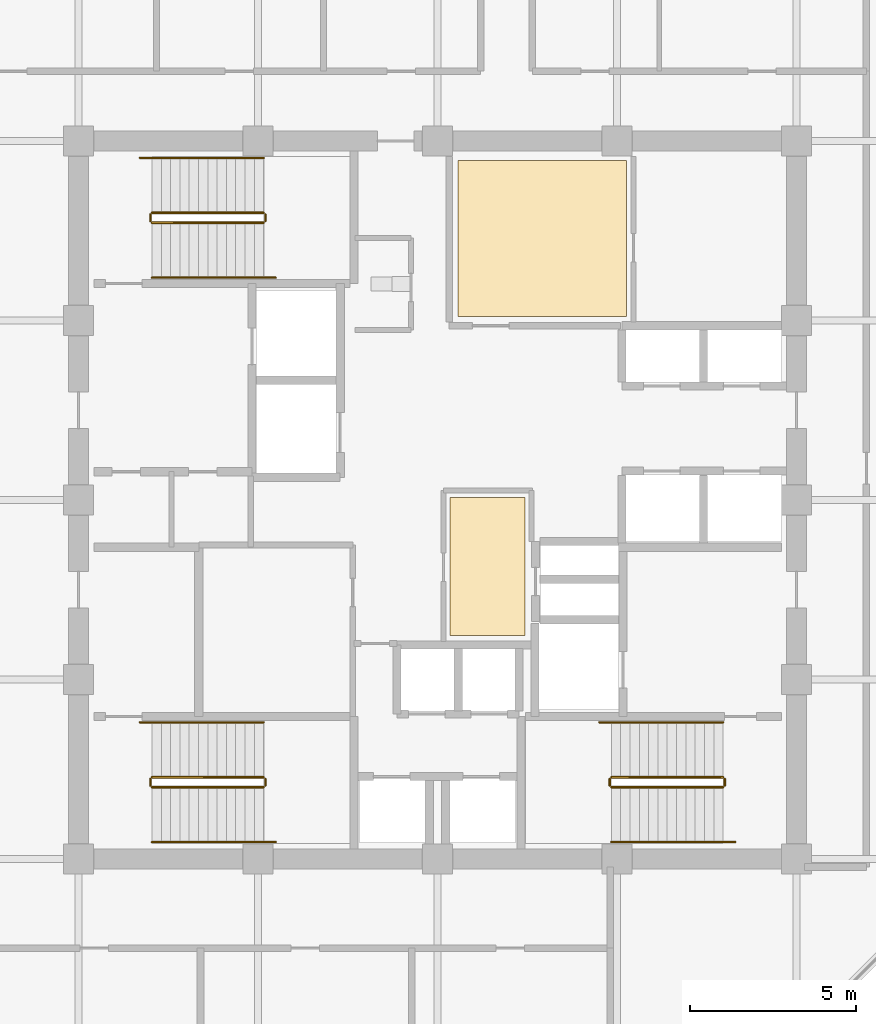
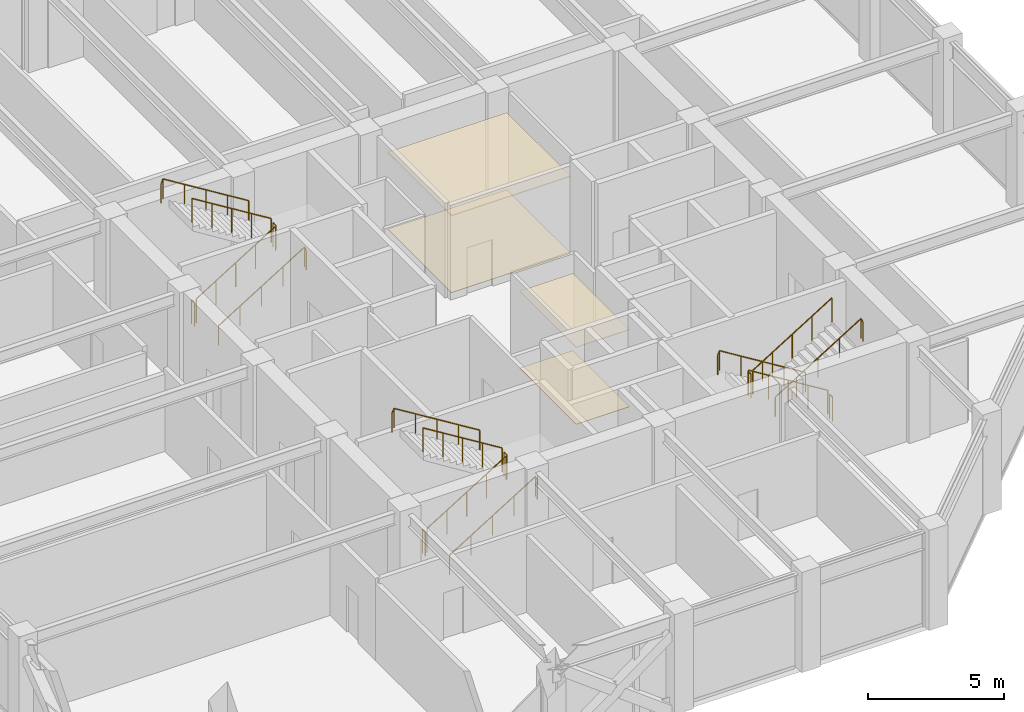
# One storey, part 27 of 28: 18 railings, 4 coverings.
"""IFC4 building model written with IfcOpenShell, lengths in metres."""

from ifc_helpers import new_model, si_unit, direction, frame, origin, origin_2d, place, context, subcontext, project, spatial, polyline, circle, outline, extrude, material, layer, layer_set, type_object, element, save


model = new_model("IFC4")

# Units and contexts
model_context = context("Model", 3, precision=1e-05, world=origin(), true_north=direction((0.0, 1.0)))
body_context = subcontext(model_context, "Body", "Model", "MODEL_VIEW")
ifc_project = project(units=[si_unit("LENGTHUNIT", "METRE"), si_unit("AREAUNIT", "SQUARE_METRE"), si_unit("VOLUMEUNIT", "CUBIC_METRE"), si_unit("PLANEANGLEUNIT", "RADIAN"), si_unit("MASSUNIT", "GRAM", prefix="KILO")], contexts=[model_context])

# Site, building, storey
site_placement = place(None, origin())
site = spatial("IfcSite", under=ifc_project, at=site_placement, CompositionType="ELEMENT")
building_placement = place(site_placement, origin())
building = spatial("IfcBuilding", under=site, at=building_placement, Name="Surkhivell Harbour Commons", CompositionType="ELEMENT")
storey_placement = place(building_placement, frame((0.0, 0.0, 249.75)))
storey = spatial("IfcBuildingStorey", under=building, at=storey_placement, Name="L65", CompositionType="ELEMENT", Elevation=249.75)

# Coverings
ifc_material_1 = material(Name="Perforated acoustic mineral-fibre ceiling tile", Category="other")
ifc_layer_1 = layer(ifc_material_1, 0.02490234375)
ifc_layer_set_1 = layer_set([ifc_layer_1], Name="Perforated acoustic mineral-fibre ceiling tile")
covering_type_1 = type_object("IfcCoveringType", Name="COV-CEIL-AC", PredefinedType="CEILING", material=ifc_layer_set_1)
covering_1_placement = place(storey_placement, frame((0.0, 0.0, 3.455078125)))
element("IfcCovering", 1, at=covering_1_placement, inside=storey, type_object=covering_type_1, Name="L65 Suspended Acoustic Ceiling 1", PredefinedType="CEILING", context=body_context, shape_type="SweptSolid", body=[
    extrude(outline(polyline([(0.3701171875, -4.080078125), (2.6298828125, -4.080078125), (2.6298828125, 0.080078125), (0.3701171875, 0.080078125), (0.3701171875, -4.080078125)])), origin(), (0.0, 0.0, 1.0), 0.02490234375),
])
ifc_material_2 = material(Name="Moisture-resistant gypsum acoustic ceiling board", Category="other")
ifc_layer_2 = layer(ifc_material_2, 0.030029296875)
ifc_layer_set_2 = layer_set([ifc_layer_2], Name="Moisture-resistant gypsum acoustic ceiling board")
covering_type_2 = type_object("IfcCoveringType", Name="COV-CEIL-GYP", PredefinedType="CEILING", material=ifc_layer_set_2)
covering_2_placement = place(storey_placement, frame((0.0, 0.0, 3.449951171875)))
element("IfcCovering", 2, at=covering_2_placement, inside=storey, type_object=covering_type_2, Name="L65 Suspended Acoustic Ceiling 2", PredefinedType="CEILING", context=body_context, shape_type="SweptSolid", body=[
    extrude(outline(polyline([(0.6201171875, 5.52001953125), (5.679931640625, 5.52001953125), (5.679931640625, 10.219970703125), (0.6201171875, 10.219970703125), (0.6201171875, 5.52001953125)])), origin(), (0.0, 0.0, 1.0), 0.030029296875),
])
ifc_material_3 = material(Name="Engineered acoustic oak timber flooring", Category="wood")
ifc_layer_3 = layer(ifc_material_3, 0.02001953125)
ifc_layer_set_3 = layer_set([ifc_layer_3], Name="Engineered acoustic oak timber flooring")
covering_type_3 = type_object("IfcCoveringType", Name="COV-FLR-TIM", PredefinedType="FLOORING", material=ifc_layer_set_3)
covering_3_placement = place(storey_placement, origin())
element("IfcCovering", 3, at=covering_3_placement, inside=storey, type_object=covering_type_3, Name="L65 Interior Floor Finish 1", PredefinedType="FLOORING", context=body_context, shape_type="SweptSolid", body=[
    extrude(outline(polyline([(0.3701171875, -4.080078125), (2.6298828125, -4.080078125), (2.6298828125, 0.080078125), (0.3701171875, 0.080078125), (0.3701171875, -4.080078125)])), origin(), (0.0, 0.0, 1.0), 0.02001953125),
])
covering_4_placement = place(storey_placement, origin())
element("IfcCovering", 4, at=covering_4_placement, inside=storey, type_object=covering_type_3, Name="L65 Interior Floor Finish 2", PredefinedType="FLOORING", context=body_context, shape_type="SweptSolid", body=[
    extrude(outline(polyline([(0.6201171875, 5.52001953125), (5.679931640625, 5.52001953125), (5.679931640625, 10.219970703125), (0.6201171875, 10.219970703125), (0.6201171875, 5.52001953125)])), origin(), (0.0, 0.0, 1.0), 0.02001953125),
])

# Railings
ifc_material_4 = material(Name="Galvanised and painted steel S355 guard rail", Category="steel")
railing_type_1 = type_object("IfcRailingType", Name="RAL-ST-GRD1100", PredefinedType="GUARDRAIL", material=ifc_material_4)
railing_1_placement = place(storey_placement, frame((-8.590087890625, 8.340087890625, 0.173095703125)))
element("IfcRailing", 5, at=railing_1_placement, inside=storey, type_object=railing_type_1, Name="L65 ST1 stair guard 1", PredefinedType="GUARDRAIL", context=body_context, shape_type="SweptSolid", body=[
    extrude(circle(Radius=0.02392578125, at=origin_2d()), frame((0.0, 0.0, 1.076171875), z_axis=(0.850623216509, 0.0, 0.525775754039), x_axis=(0.0, 1.0, 0.0)), (0.0, 0.0, 1.0), 3.9501953125),
    extrude(circle(Radius=0.02099609375, at=origin_2d()), origin(), (0.0, 0.0, 1.0), 1.052001953125),
    extrude(circle(Radius=0.02099609375, at=origin_2d()), frame((0.840087890625, 0.0, 0.519287109375)), (0.0, 0.0, 1.0), 1.052001953125),
    extrude(circle(Radius=0.02099609375, at=origin_2d()), frame((1.68017578125, 0.0, 1.03857421875)), (0.0, 0.0, 1.0), 1.052001953125),
    extrude(circle(Radius=0.02099609375, at=origin_2d()), frame((2.52001953125, 0.0, 1.5576171875)), (0.0, 0.0, 1.0), 1.052001953125),
    extrude(circle(Radius=0.02099609375, at=origin_2d()), frame((3.360107421875, 0.0, 2.076904296875)), (0.0, 0.0, 1.0), 1.052001953125),
])
railing_2_placement = place(storey_placement, frame((-5.179931640625, 8.389892578125, 2.25)))
element("IfcRailing", 6, at=railing_2_placement, inside=storey, type_object=railing_type_1, Name="L65 ST1 stair guard 2", PredefinedType="GUARDRAIL", context=body_context, shape_type="SweptSolid", body=[
    extrude(circle(Radius=0.02392578125, at=origin_2d()), frame((0.0, 0.0, 1.076171875), z_axis=(0.0, 1.0, 0.0), x_axis=(-1.0, 0.0, 0.0)), (0.0, 0.0, 1.0), 0.2001953125),
    extrude(circle(Radius=0.02099609375, at=origin_2d()), origin(), (0.0, 0.0, 1.0), 1.052001953125),
    extrude(circle(Radius=0.02099609375, at=origin_2d()), frame((0.0, 0.2001953125, 0.0)), (0.0, 0.0, 1.0), 1.052001953125),
])
railing_3_placement = place(storey_placement, frame((-5.22998046875, 8.639892578125, 2.423095703125)))
element("IfcRailing", 7, at=railing_3_placement, inside=storey, type_object=railing_type_1, Name="L65 ST1 stair guard 3", PredefinedType="GUARDRAIL", context=body_context, shape_type="SweptSolid", body=[
    extrude(circle(Radius=0.02392578125, at=origin_2d()), frame((0.0, 0.0, 1.076171875), z_axis=(-0.850623216509, 0.0, 0.525775754039), x_axis=(0.0, -1.0, 0.0)), (0.0, 0.0, 1.0), 3.9501953125),
    extrude(circle(Radius=0.02099609375, at=origin_2d()), origin(), (0.0, 0.0, 1.0), 1.052001953125),
    extrude(circle(Radius=0.02099609375, at=origin_2d()), frame((-0.840087890625, 0.0, 0.519287109375)), (0.0, 0.0, 1.0), 1.052001953125),
    extrude(circle(Radius=0.02099609375, at=origin_2d()), frame((-1.68017578125, 0.0, 1.03857421875)), (0.0, 0.0, 1.0), 1.052001953125),
    extrude(circle(Radius=0.02099609375, at=origin_2d()), frame((-2.52001953125, 0.0, 1.5576171875)), (0.0, 0.0, 1.0), 1.052001953125),
    extrude(circle(Radius=0.02099609375, at=origin_2d()), frame((-3.360107421875, 0.0, 2.076904296875)), (0.0, 0.0, 1.0), 1.052001953125),
])
railing_4_placement = place(storey_placement, frame((-8.639892578125, 8.389892578125, 0.0)))
element("IfcRailing", 8, at=railing_4_placement, inside=storey, type_object=railing_type_1, Name="L65 ST1 stair guard 4", PredefinedType="GUARDRAIL", context=body_context, shape_type="SweptSolid", body=[
    extrude(circle(Radius=0.02392578125, at=origin_2d()), frame((0.0, 0.0, 1.076171875), z_axis=(0.0, 1.0, 0.0), x_axis=(-1.0, 0.0, 0.0)), (0.0, 0.0, 1.0), 0.2001953125),
    extrude(circle(Radius=0.02099609375, at=origin_2d()), origin(), (0.0, 0.0, 1.0), 1.052001953125),
    extrude(circle(Radius=0.02099609375, at=origin_2d()), frame((0.0, 0.2001953125, 0.0)), (0.0, 0.0, 1.0), 1.052001953125),
])
railing_5_placement = place(storey_placement, frame((8.590087890625, -8.340087890625, 0.173095703125)))
element("IfcRailing", 9, at=railing_5_placement, inside=storey, type_object=railing_type_1, Name="L65 ST2 stair guard 1", PredefinedType="GUARDRAIL", context=body_context, shape_type="SweptSolid", body=[
    extrude(circle(Radius=0.02392578125, at=origin_2d()), frame((0.0, 0.0, 1.076171875), z_axis=(-0.850623216509, 0.0, 0.525775754039), x_axis=(0.0, -1.0, 0.0)), (0.0, 0.0, 1.0), 3.9501953125),
    extrude(circle(Radius=0.02099609375, at=origin_2d()), origin(), (0.0, 0.0, 1.0), 1.052001953125),
    extrude(circle(Radius=0.02099609375, at=origin_2d()), frame((-0.840087890625, 0.0, 0.519287109375)), (0.0, 0.0, 1.0), 1.052001953125),
    extrude(circle(Radius=0.02099609375, at=origin_2d()), frame((-1.68017578125, 0.0, 1.03857421875)), (0.0, 0.0, 1.0), 1.052001953125),
    extrude(circle(Radius=0.02099609375, at=origin_2d()), frame((-2.52001953125, 0.0, 1.5576171875)), (0.0, 0.0, 1.0), 1.052001953125),
    extrude(circle(Radius=0.02099609375, at=origin_2d()), frame((-3.360107421875, 0.0, 2.076904296875)), (0.0, 0.0, 1.0), 1.052001953125),
])
railing_6_placement = place(storey_placement, frame((5.179931640625, -8.389892578125, 2.25)))
element("IfcRailing", 10, at=railing_6_placement, inside=storey, type_object=railing_type_1, Name="L65 ST2 stair guard 2", PredefinedType="GUARDRAIL", context=body_context, shape_type="SweptSolid", body=[
    extrude(circle(Radius=0.02392578125, at=origin_2d()), frame((0.0, 0.0, 1.076171875), z_axis=(0.0, -1.0, 0.0), x_axis=(1.0, 0.0, 0.0)), (0.0, 0.0, 1.0), 0.2001953125),
    extrude(circle(Radius=0.02099609375, at=origin_2d()), origin(), (0.0, 0.0, 1.0), 1.052001953125),
    extrude(circle(Radius=0.02099609375, at=origin_2d()), frame((0.0, -0.2001953125, 0.0)), (0.0, 0.0, 1.0), 1.052001953125),
])
railing_7_placement = place(storey_placement, frame((5.22998046875, -8.639892578125, 2.423095703125)))
element("IfcRailing", 11, at=railing_7_placement, inside=storey, type_object=railing_type_1, Name="L65 ST2 stair guard 3", PredefinedType="GUARDRAIL", context=body_context, shape_type="SweptSolid", body=[
    extrude(circle(Radius=0.02392578125, at=origin_2d()), frame((0.0, 0.0, 1.076171875), z_axis=(0.850623216509, 0.0, 0.525775754039), x_axis=(0.0, 1.0, 0.0)), (0.0, 0.0, 1.0), 3.9501953125),
    extrude(circle(Radius=0.02099609375, at=origin_2d()), origin(), (0.0, 0.0, 1.0), 1.052001953125),
    extrude(circle(Radius=0.02099609375, at=origin_2d()), frame((0.840087890625, 0.0, 0.519287109375)), (0.0, 0.0, 1.0), 1.052001953125),
    extrude(circle(Radius=0.02099609375, at=origin_2d()), frame((1.68017578125, 0.0, 1.03857421875)), (0.0, 0.0, 1.0), 1.052001953125),
    extrude(circle(Radius=0.02099609375, at=origin_2d()), frame((2.52001953125, 0.0, 1.5576171875)), (0.0, 0.0, 1.0), 1.052001953125),
    extrude(circle(Radius=0.02099609375, at=origin_2d()), frame((3.360107421875, 0.0, 2.076904296875)), (0.0, 0.0, 1.0), 1.052001953125),
])
railing_8_placement = place(storey_placement, frame((8.639892578125, -8.389892578125, 0.0)))
element("IfcRailing", 12, at=railing_8_placement, inside=storey, type_object=railing_type_1, Name="L65 ST2 stair guard 4", PredefinedType="GUARDRAIL", context=body_context, shape_type="SweptSolid", body=[
    extrude(circle(Radius=0.02392578125, at=origin_2d()), frame((0.0, 0.0, 1.076171875), z_axis=(0.0, -1.0, 0.0), x_axis=(1.0, 0.0, 0.0)), (0.0, 0.0, 1.0), 0.2001953125),
    extrude(circle(Radius=0.02099609375, at=origin_2d()), origin(), (0.0, 0.0, 1.0), 1.052001953125),
    extrude(circle(Radius=0.02099609375, at=origin_2d()), frame((0.0, -0.2001953125, 0.0)), (0.0, 0.0, 1.0), 1.052001953125),
])
railing_9_placement = place(storey_placement, frame((-8.590087890625, -8.639892578125, 0.173095703125)))
element("IfcRailing", 13, at=railing_9_placement, inside=storey, type_object=railing_type_1, Name="L65 ST3 stair guard 1", PredefinedType="GUARDRAIL", context=body_context, shape_type="SweptSolid", body=[
    extrude(circle(Radius=0.02392578125, at=origin_2d()), frame((0.0, 0.0, 1.076171875), z_axis=(0.850623216509, 0.0, 0.525775754039), x_axis=(0.0, 1.0, 0.0)), (0.0, 0.0, 1.0), 3.9501953125),
    extrude(circle(Radius=0.02099609375, at=origin_2d()), origin(), (0.0, 0.0, 1.0), 1.052001953125),
    extrude(circle(Radius=0.02099609375, at=origin_2d()), frame((0.840087890625, 0.0, 0.519287109375)), (0.0, 0.0, 1.0), 1.052001953125),
    extrude(circle(Radius=0.02099609375, at=origin_2d()), frame((1.68017578125, 0.0, 1.03857421875)), (0.0, 0.0, 1.0), 1.052001953125),
    extrude(circle(Radius=0.02099609375, at=origin_2d()), frame((2.52001953125, 0.0, 1.5576171875)), (0.0, 0.0, 1.0), 1.052001953125),
    extrude(circle(Radius=0.02099609375, at=origin_2d()), frame((3.360107421875, 0.0, 2.076904296875)), (0.0, 0.0, 1.0), 1.052001953125),
])
railing_10_placement = place(storey_placement, frame((-5.179931640625, -8.590087890625, 2.25)))
element("IfcRailing", 14, at=railing_10_placement, inside=storey, type_object=railing_type_1, Name="L65 ST3 stair guard 2", PredefinedType="GUARDRAIL", context=body_context, shape_type="SweptSolid", body=[
    extrude(circle(Radius=0.02392578125, at=origin_2d()), frame((0.0, 0.0, 1.076171875), z_axis=(0.0, 1.0, 0.0), x_axis=(-1.0, 0.0, 0.0)), (0.0, 0.0, 1.0), 0.2001953125),
    extrude(circle(Radius=0.02099609375, at=origin_2d()), origin(), (0.0, 0.0, 1.0), 1.052001953125),
    extrude(circle(Radius=0.02099609375, at=origin_2d()), frame((0.0, 0.2001953125, 0.0)), (0.0, 0.0, 1.0), 1.052001953125),
])
railing_11_placement = place(storey_placement, frame((-5.22998046875, -8.340087890625, 2.423095703125)))
element("IfcRailing", 15, at=railing_11_placement, inside=storey, type_object=railing_type_1, Name="L65 ST3 stair guard 3", PredefinedType="GUARDRAIL", context=body_context, shape_type="SweptSolid", body=[
    extrude(circle(Radius=0.02392578125, at=origin_2d()), frame((0.0, 0.0, 1.076171875), z_axis=(-0.850623216509, 0.0, 0.525775754039), x_axis=(0.0, -1.0, 0.0)), (0.0, 0.0, 1.0), 3.9501953125),
    extrude(circle(Radius=0.02099609375, at=origin_2d()), origin(), (0.0, 0.0, 1.0), 1.052001953125),
    extrude(circle(Radius=0.02099609375, at=origin_2d()), frame((-0.840087890625, 0.0, 0.519287109375)), (0.0, 0.0, 1.0), 1.052001953125),
    extrude(circle(Radius=0.02099609375, at=origin_2d()), frame((-1.68017578125, 0.0, 1.03857421875)), (0.0, 0.0, 1.0), 1.052001953125),
    extrude(circle(Radius=0.02099609375, at=origin_2d()), frame((-2.52001953125, 0.0, 1.5576171875)), (0.0, 0.0, 1.0), 1.052001953125),
    extrude(circle(Radius=0.02099609375, at=origin_2d()), frame((-3.360107421875, 0.0, 2.076904296875)), (0.0, 0.0, 1.0), 1.052001953125),
])
railing_12_placement = place(storey_placement, frame((-8.639892578125, -8.590087890625, 0.0)))
element("IfcRailing", 16, at=railing_12_placement, inside=storey, type_object=railing_type_1, Name="L65 ST3 stair guard 4", PredefinedType="GUARDRAIL", context=body_context, shape_type="SweptSolid", body=[
    extrude(circle(Radius=0.02392578125, at=origin_2d()), frame((0.0, 0.0, 1.076171875), z_axis=(0.0, 1.0, 0.0), x_axis=(-1.0, 0.0, 0.0)), (0.0, 0.0, 1.0), 0.2001953125),
    extrude(circle(Radius=0.02099609375, at=origin_2d()), origin(), (0.0, 0.0, 1.0), 1.052001953125),
    extrude(circle(Radius=0.02099609375, at=origin_2d()), frame((0.0, 0.2001953125, 0.0)), (0.0, 0.0, 1.0), 1.052001953125),
])
ifc_material_5 = material(Name="Brushed stainless steel S355 handrail", Category="steel")
railing_type_2 = type_object("IfcRailingType", Name="RAL-ST-HND900", PredefinedType="HANDRAIL", material=ifc_material_5)
railing_13_placement = place(storey_placement, frame((-8.590087890625, 6.68994140625, 0.173095703125)))
element("IfcRailing", 17, at=railing_13_placement, inside=storey, type_object=railing_type_2, Name="L65 ST1 stair handrail 1", PredefinedType="HANDRAIL", context=body_context, shape_type="SweptSolid", body=[
    extrude(circle(Radius=0.02392578125, at=origin_2d()), frame((0.0, 0.0, 0.8759765625), z_axis=(0.850622404505, 0.0, 0.525777067734), x_axis=(0.0, 1.0, 0.0)), (0.0, 0.0, 1.0), 4.279296875),
    extrude(circle(Radius=0.02392578125, at=origin_2d()), frame((3.64013671875, 0.0, 3.1259765625), z_axis=(0.418814502111, 0.0, -0.908071810388), x_axis=(0.0, 1.0, 0.0)), (0.0, 0.0, 1.0), 0.190673828125),
    extrude(circle(Radius=0.02099609375, at=origin_2d()), origin(), (0.0, 0.0, 1.0), 0.851806640625),
    extrude(circle(Radius=0.02099609375, at=origin_2d()), frame((0.91015625, 0.0, 0.5625)), (0.0, 0.0, 1.0), 0.851806640625),
    extrude(circle(Radius=0.02099609375, at=origin_2d()), frame((1.820068359375, 0.0, 1.125)), (0.0, 0.0, 1.0), 0.851806640625),
    extrude(circle(Radius=0.02099609375, at=origin_2d()), frame((2.72998046875, 0.0, 1.6875)), (0.0, 0.0, 1.0), 0.851806640625),
    extrude(circle(Radius=0.02099609375, at=origin_2d()), frame((3.64013671875, 0.0, 2.25)), (0.0, 0.0, 1.0), 0.851806640625),
    extrude(circle(Radius=0.02099609375, at=origin_2d()), frame((3.719970703125, 0.0, 2.076904296875)), (0.0, 0.0, 1.0), 0.851806640625),
])
for number, where, name in (
    (18, (-5.22998046875, 10.2900390625, 2.423095703125), "L65 ST1 stair handrail 2"),
    (19, (8.590087890625, -6.68994140625, 0.173095703125), "L65 ST2 stair handrail 1"),
):
    element("IfcRailing", number, at=place(storey_placement, frame(where)), inside=storey, type_object=railing_type_2, Name=name, PredefinedType="HANDRAIL", context=body_context, shape_type="SweptSolid", body=[
        extrude(circle(Radius=0.02392578125, at=origin_2d()), frame((0.0, 0.0, 0.8759765625), z_axis=(-0.850622404505, 0.0, 0.525777067734), x_axis=(0.0, -1.0, 0.0)), (0.0, 0.0, 1.0), 4.279296875),
        extrude(circle(Radius=0.02392578125, at=origin_2d()), frame((-3.64013671875, 0.0, 3.1259765625), z_axis=(-0.418814502111, 0.0, -0.908071810388), x_axis=(0.0, -1.0, 0.0)), (0.0, 0.0, 1.0), 0.190673828125),
        extrude(circle(Radius=0.02099609375, at=origin_2d()), origin(), (0.0, 0.0, 1.0), 0.851806640625),
        extrude(circle(Radius=0.02099609375, at=origin_2d()), frame((-0.91015625, 0.0, 0.5625)), (0.0, 0.0, 1.0), 0.851806640625),
        extrude(circle(Radius=0.02099609375, at=origin_2d()), frame((-1.820068359375, 0.0, 1.125)), (0.0, 0.0, 1.0), 0.851806640625),
        extrude(circle(Radius=0.02099609375, at=origin_2d()), frame((-2.72998046875, 0.0, 1.6875)), (0.0, 0.0, 1.0), 0.851806640625),
        extrude(circle(Radius=0.02099609375, at=origin_2d()), frame((-3.64013671875, 0.0, 2.25)), (0.0, 0.0, 1.0), 0.851806640625),
        extrude(circle(Radius=0.02099609375, at=origin_2d()), frame((-3.719970703125, 0.0, 2.076904296875)), (0.0, 0.0, 1.0), 0.851806640625),
    ])
for number, where, name in (
    (20, (5.22998046875, -10.2900390625, 2.423095703125), "L65 ST2 stair handrail 2"),
    (21, (-8.590087890625, -10.2900390625, 0.173095703125), "L65 ST3 stair handrail 1"),
):
    element("IfcRailing", number, at=place(storey_placement, frame(where)), inside=storey, type_object=railing_type_2, Name=name, PredefinedType="HANDRAIL", context=body_context, shape_type="SweptSolid", body=[
        extrude(circle(Radius=0.02392578125, at=origin_2d()), frame((0.0, 0.0, 0.8759765625), z_axis=(0.850622404505, 0.0, 0.525777067734), x_axis=(0.0, 1.0, 0.0)), (0.0, 0.0, 1.0), 4.279296875),
        extrude(circle(Radius=0.02392578125, at=origin_2d()), frame((3.64013671875, 0.0, 3.1259765625), z_axis=(0.418814502111, 0.0, -0.908071810388), x_axis=(0.0, 1.0, 0.0)), (0.0, 0.0, 1.0), 0.190673828125),
        extrude(circle(Radius=0.02099609375, at=origin_2d()), origin(), (0.0, 0.0, 1.0), 0.851806640625),
        extrude(circle(Radius=0.02099609375, at=origin_2d()), frame((0.91015625, 0.0, 0.5625)), (0.0, 0.0, 1.0), 0.851806640625),
        extrude(circle(Radius=0.02099609375, at=origin_2d()), frame((1.820068359375, 0.0, 1.125)), (0.0, 0.0, 1.0), 0.851806640625),
        extrude(circle(Radius=0.02099609375, at=origin_2d()), frame((2.72998046875, 0.0, 1.6875)), (0.0, 0.0, 1.0), 0.851806640625),
        extrude(circle(Radius=0.02099609375, at=origin_2d()), frame((3.64013671875, 0.0, 2.25)), (0.0, 0.0, 1.0), 0.851806640625),
        extrude(circle(Radius=0.02099609375, at=origin_2d()), frame((3.719970703125, 0.0, 2.076904296875)), (0.0, 0.0, 1.0), 0.851806640625),
    ])
railing_14_placement = place(storey_placement, frame((-5.22998046875, -6.68994140625, 2.423095703125)))
element("IfcRailing", 22, at=railing_14_placement, inside=storey, type_object=railing_type_2, Name="L65 ST3 stair handrail 2", PredefinedType="HANDRAIL", context=body_context, shape_type="SweptSolid", body=[
    extrude(circle(Radius=0.02392578125, at=origin_2d()), frame((0.0, 0.0, 0.8759765625), z_axis=(-0.850622404505, 0.0, 0.525777067734), x_axis=(0.0, -1.0, 0.0)), (0.0, 0.0, 1.0), 4.279296875),
    extrude(circle(Radius=0.02392578125, at=origin_2d()), frame((-3.64013671875, 0.0, 3.1259765625), z_axis=(-0.418814502111, 0.0, -0.908071810388), x_axis=(0.0, -1.0, 0.0)), (0.0, 0.0, 1.0), 0.190673828125),
    extrude(circle(Radius=0.02099609375, at=origin_2d()), origin(), (0.0, 0.0, 1.0), 0.851806640625),
    extrude(circle(Radius=0.02099609375, at=origin_2d()), frame((-0.91015625, 0.0, 0.5625)), (0.0, 0.0, 1.0), 0.851806640625),
    extrude(circle(Radius=0.02099609375, at=origin_2d()), frame((-1.820068359375, 0.0, 1.125)), (0.0, 0.0, 1.0), 0.851806640625),
    extrude(circle(Radius=0.02099609375, at=origin_2d()), frame((-2.72998046875, 0.0, 1.6875)), (0.0, 0.0, 1.0), 0.851806640625),
    extrude(circle(Radius=0.02099609375, at=origin_2d()), frame((-3.64013671875, 0.0, 2.25)), (0.0, 0.0, 1.0), 0.851806640625),
    extrude(circle(Radius=0.02099609375, at=origin_2d()), frame((-3.719970703125, 0.0, 2.076904296875)), (0.0, 0.0, 1.0), 0.851806640625),
])

save(model, "model.ifc")
